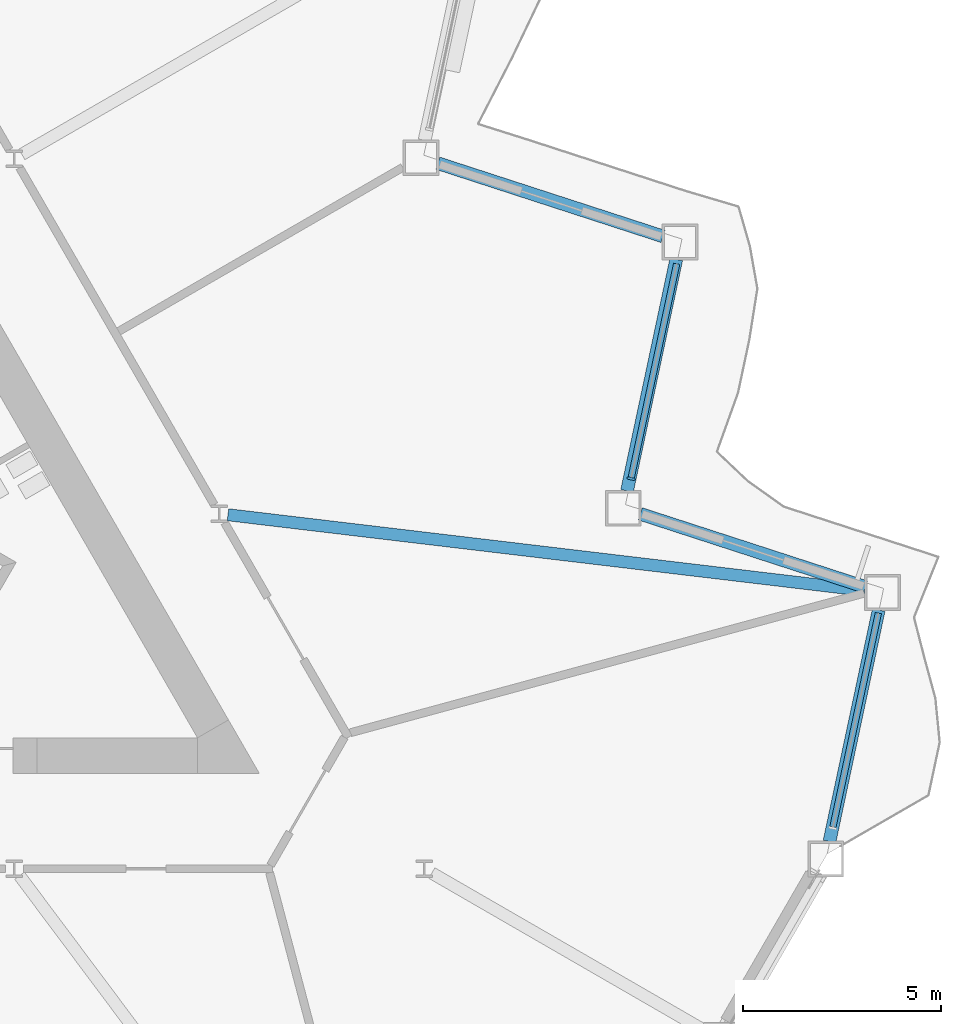
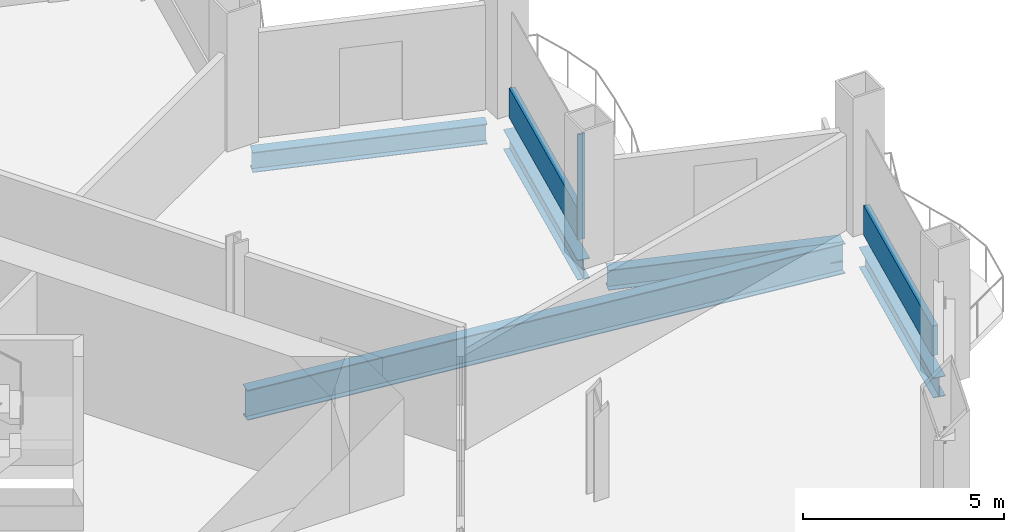
# One storey, part 6 of 21: 5 beams, 3 members, 2 elements without a shape of their own.
"""IFC4 building model written with IfcOpenShell, lengths in metres."""

from ifc_helpers import new_model, si_unit, direction, frame, origin, origin_2d, place, context, subcontext, project, spatial, rectangle, i_section, extrude, material, layer, layer_set, material_profile, profile_set, type_object, element, aggregate, save


model = new_model("IFC4")

# Units and contexts
model_context = context("Model", 3, precision=1e-05, world=origin(), true_north=direction((0.0, 1.0)))
body_context = subcontext(model_context, "Body", "Model", "MODEL_VIEW")
ifc_project = project(units=[si_unit("LENGTHUNIT", "METRE"), si_unit("AREAUNIT", "SQUARE_METRE"), si_unit("VOLUMEUNIT", "CUBIC_METRE"), si_unit("PLANEANGLEUNIT", "RADIAN"), si_unit("MASSUNIT", "GRAM", prefix="KILO")], contexts=[model_context])

# Site, building, storey
site_placement = place(None, origin())
site = spatial("IfcSite", under=ifc_project, at=site_placement, CompositionType="ELEMENT")
building_placement = place(site_placement, origin())
building = spatial("IfcBuilding", under=site, at=building_placement, Name="Cormorant Prow Tower", CompositionType="ELEMENT")
storey_placement = place(building_placement, frame((0.0, 0.0, 145.800048828125)))
storey = spatial("IfcBuildingStorey", under=building, at=storey_placement, Name="L31", CompositionType="ELEMENT", Elevation=145.800048828125)

# Curtain wall, member
ifc_material_1 = material(Name="Aluminium 6063-T6", Category="aluminium")
ifc_layer = layer(ifc_material_1, 0.199951171875)
ifc_layer_set = layer_set([ifc_layer], Name="Aluminium 6063-T6")
curtain_wall_type = type_object("IfcCurtainWallType", Name="Office unitised curtain wall 200", PredefinedType="NOTDEFINED", material=ifc_layer_set)
curtain_wall_1_placement = place(storey_placement, origin())
curtain_wall_1 = element("IfcCurtainWall", 1, at=curtain_wall_1_placement, inside=storey, type_object=curtain_wall_type, Name="Office curtain wall ENE02", PredefinedType="NOTDEFINED")
ifc_material_2 = material(Name="Aluminium 6063-T6", Category="aluminium")
ifc_material_profile_1 = material_profile(ifc_material_2, rectangle(XDim=0.199951171875, YDim=0.06005859375, at=origin_2d()), Name="Office mullion 60x200")
ifc_profile_set_1 = profile_set([ifc_material_profile_1], Name="Aluminium 6063-T6")
member_type_1 = type_object("IfcMemberType", Name="Office mullion 60x200", PredefinedType="MULLION", material=ifc_profile_set_1)
member_1_placement = place(storey_placement, frame((25.862060546875, -2.099609375, 0.0), z_axis=(0.0, 0.0, 1.0), x_axis=(-0.978147576254, 0.207911805985, 0.0)))
member_1 = element("IfcMember", 2, at=member_1_placement, type_object=member_type_1, Name="Office mullion ENE02", PredefinedType="MULLION", context=body_context, shape_type="SweptSolid", body=[
    extrude(rectangle(XDim=0.199951171875, YDim=0.06005859375, at=origin_2d()), origin(), (0.0, 0.0, 1.0), 3.18896484375),
])

curtain_wall_2_placement = place(storey_placement, origin())
curtain_wall_2 = element("IfcCurtainWall", 3, at=curtain_wall_2_placement, inside=storey, type_object=curtain_wall_type, Name="Office curtain wall ENE00", PredefinedType="NOTDEFINED")
ifc_material_3 = material(Name="Terracotta", Category="masonry")
ifc_material_profile_2 = material_profile(ifc_material_3, rectangle(XDim=0.159912109375, YDim=0.89990234375, at=origin_2d()), Name="Office terracotta spandrel rail 160x900")
ifc_profile_set_2 = profile_set([ifc_material_profile_2], Name="Terracotta")
member_type_2 = type_object("IfcMemberType", Name="Office terracotta spandrel rail 160x900", PredefinedType="USERDEFINED", material=ifc_profile_set_2)
member_2_placement = place(storey_placement, frame((30.94970703125, -10.87158203125, 0.449951171875), z_axis=(0.207920804056, 0.978145663611, 0.0), x_axis=(-0.978145663611, 0.207920804056, 0.0)))
member_2 = element("IfcMember", 4, at=member_2_placement, type_object=member_type_2, Name="Office spandrel rail ENE00", ObjectType="TRANSOM", PredefinedType="USERDEFINED", context=body_context, shape_type="SweptSolid", body=[
    extrude(rectangle(XDim=0.159912109375, YDim=0.89990234375, at=origin_2d()), origin(), (0.0, 0.0, 1.0), 5.505859375),
])
aggregate(curtain_wall_2, [member_2])

# Member
member_3_placement = place(storey_placement, frame((25.8681640625, -2.0703125, 0.449951171875), z_axis=(0.207920804056, 0.978145663611, 0.0), x_axis=(-0.978145663611, 0.207920804056, 0.0)))
member_3 = element("IfcMember", 5, at=member_3_placement, type_object=member_type_2, Name="Office spandrel rail ENE02", ObjectType="TRANSOM", PredefinedType="USERDEFINED", context=body_context, shape_type="SweptSolid", body=[
    extrude(rectangle(XDim=0.159912109375, YDim=0.89990234375, at=origin_2d()), origin(), (0.0, 0.0, 1.0), 5.505859375),
])

aggregate(curtain_wall_1, [member_1, member_3])

# Beams
ifc_material_4 = material(Name="Structural steel ASTM A992 Gr 50", Category="steel")
ifc_material_profile_3 = material_profile(ifc_material_4, i_section(OverallWidth=0.3046875, OverallDepth=0.914794921875, WebThickness=0.0166015625, FlangeThickness=0.02587890625, at=origin_2d()), Name="W36x160")
ifc_profile_set_3 = profile_set([ifc_material_profile_3], Name="Structural steel ASTM A992 Gr 50")
beam_type_1 = type_object("IfcBeamType", Name="Radial floor beam W36x160", PredefinedType="BEAM", material=ifc_profile_set_3)
beam_1_placement = place(storey_placement, frame((15.70849609375, -3.00732421875, -0.857421875), z_axis=(0.993009167646, -0.118037252474, 0.0), x_axis=(0.118037252474, 0.993009167646, 0.0)))
element("IfcBeam", 6, at=beam_1_placement, inside=storey, type_object=beam_type_1, Name="Radial floor beam FB1 10 L31", PredefinedType="BEAM", context=body_context, shape_type="SweptSolid", body=[
    extrude(i_section(OverallWidth=0.3046875, OverallDepth=0.914794921875, WebThickness=0.0166015625, FlangeThickness=0.02587890625, at=origin_2d()), origin(), (0.0, 0.0, 1.0), 16.15380859375),
])
ifc_material_5 = material(Name="Structural steel ASTM A992 Gr 50", Category="steel")
ifc_material_profile_4 = material_profile(ifc_material_5, i_section(OverallWidth=0.32373046875, OverallDepth=0.611083984375, WebThickness=0.0126953125, FlangeThickness=0.01904296875, at=origin_2d()), Name="W24x104")
ifc_profile_set_4 = profile_set([ifc_material_profile_4], Name="Structural steel ASTM A992 Gr 50")
beam_type_2 = type_object("IfcBeamType", Name="Spandrel beam W24x104", PredefinedType="SPANDREL", material=ifc_profile_set_4)
beam_2_placement = place(storey_placement, frame((30.86279296875, -11.23974609375, -0.70556640625), z_axis=(0.207912620873, 0.978147403044, 0.0), x_axis=(-0.978147403044, 0.207912620873, 0.0)))
element("IfcBeam", 7, at=beam_2_placement, inside=storey, type_object=beam_type_2, Name="Spandrel beam SB1 ENE00-ENE01 L31", PredefinedType="SPANDREL", context=body_context, shape_type="SweptSolid", body=[
    extrude(i_section(OverallWidth=0.32373046875, OverallDepth=0.611083984375, WebThickness=0.0126953125, FlangeThickness=0.01904296875, at=origin_2d()), origin(), (0.0, 0.0, 1.0), 5.962890625),
])
for number, where, z_axis, x_axis, name in (
    (8, (31.768310546875, -4.828125, -0.70556640625), (-0.951059340519, 0.309008302174, 0.0), (-0.309008302174, -0.951059340519, 0.0), "Spandrel beam SB1 ENE01-ENE02 L31"),
    (9, (25.762939453125, -2.40625, -0.70556640625), (0.207920947907, 0.978145633033, 0.0), (-0.978145633033, 0.207920947907, 0.0), "Spandrel beam SB1 ENE02-ENE03 L31"),
):
    element("IfcBeam", number, at=place(storey_placement, frame(where, z_axis=z_axis, x_axis=x_axis)), inside=storey, type_object=beam_type_2, Name=name, PredefinedType="SPANDREL", context=body_context, shape_type="SweptSolid", body=[
        extrude(i_section(OverallWidth=0.32373046875, OverallDepth=0.611083984375, WebThickness=0.0126953125, FlangeThickness=0.01904296875, at=origin_2d()), origin(), (0.0, 0.0, 1.0), 5.962646484375),
    ])
beam_3_placement = place(storey_placement, frame((26.668212890625, 4.00537109375, -0.70556640625), z_axis=(-0.951055430656, 0.309020335608, 0.0), x_axis=(-0.309020335608, -0.951055430656, 0.0)))
element("IfcBeam", 10, at=beam_3_placement, inside=storey, type_object=beam_type_2, Name="Spandrel beam SB1 ENE03-ENE04 L31", PredefinedType="SPANDREL", context=body_context, shape_type="SweptSolid", body=[
    extrude(i_section(OverallWidth=0.32373046875, OverallDepth=0.611083984375, WebThickness=0.0126953125, FlangeThickness=0.01904296875, at=origin_2d()), origin(), (0.0, 0.0, 1.0), 5.96240234375),
])

save(model, "model.ifc")
